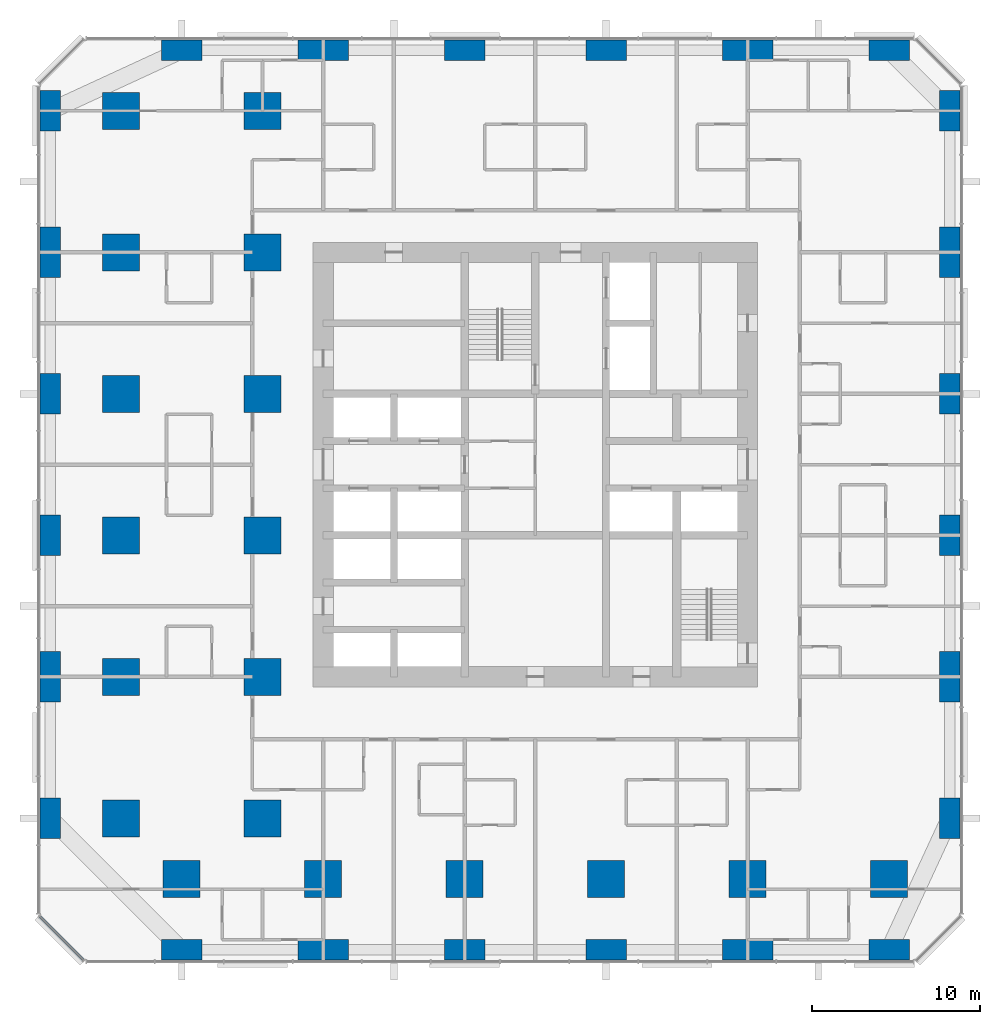
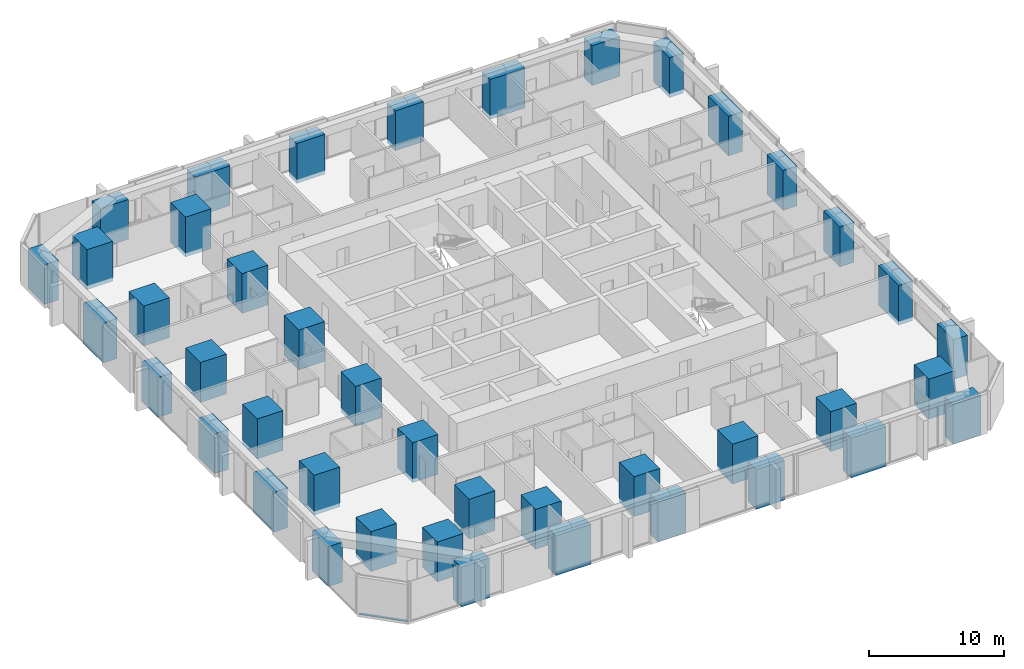
# One storey, part 1 of 13: 42 columns, 1 member, 1 element without a shape of its own.
"""IFC4 building model written with IfcOpenShell, lengths in metres."""

from ifc_helpers import new_model, si_unit, direction, frame, origin, origin_2d, place, context, subcontext, project, spatial, rectangle, extrude, material, material_profile, profile_set, type_object, element, aggregate, save


model = new_model("IFC4")

# Units and contexts
model_context = context("Model", 3, precision=1e-05, world=origin(), true_north=direction((0.0, 1.0)))
body_context = subcontext(model_context, "Body", "Model", "MODEL_VIEW")
ifc_project = project(units=[si_unit("LENGTHUNIT", "METRE"), si_unit("AREAUNIT", "SQUARE_METRE"), si_unit("VOLUMEUNIT", "CUBIC_METRE"), si_unit("PLANEANGLEUNIT", "RADIAN"), si_unit("MASSUNIT", "GRAM", prefix="KILO")], contexts=[model_context])

# Site, building, storey
site_placement = place(None, origin())
site = spatial("IfcSite", under=ifc_project, at=site_placement, CompositionType="ELEMENT")
building_placement = place(site_placement, origin())
building = spatial("IfcBuilding", under=site, at=building_placement, Name="Dunama Terrace Hotel", CompositionType="ELEMENT")
storey_placement = place(building_placement, frame((0.0, 0.0, 144.0)))
storey = spatial("IfcBuildingStorey", under=building, at=storey_placement, Name="L37", CompositionType="ELEMENT", Elevation=144.0)

# Columns
ifc_material_1 = material(Name="Concrete C60/75", Category="concrete")
ifc_material_profile_1 = material_profile(ifc_material_1, rectangle(XDim=1.199951171875, YDim=2.39990234375, at=origin_2d()), Name="RC 1200x2400")
ifc_profile_set_1 = profile_set([ifc_material_profile_1], Name="Concrete C60/75")
column_type_1 = type_object("IfcColumnType", Name="Column RC 1200x2400", PredefinedType="COLUMN", material=ifc_profile_set_1)
for number, where, z_axis, x_axis, name in (
    (1, (0.60009765625, 8.39990234375, -0.35009765625), (0.0, 0.0, 1.0), (1.0, 0.0, 0.0), "Column L37 +0.6/+8.4"),
    (2, (0.60009765625, 25.199951171875, -0.35009765625), (0.0, 0.0, 1.0), (1.0, 0.0, 0.0), "Column L37 +0.6/+25.2"),
    (3, (0.60009765625, 33.60009765625, -0.35009765625), (0.0, 0.0, 1.0), (1.0, 0.0, 0.0), "Column L37 +0.6/+33.6"),
    (4, (0.60009765625, 50.39990234375, -0.35009765625), (0.0, 0.0, 1.0), (1.0, 0.0, 0.0), "Column L37 +0.6/+50.4"),
    (5, (54.0, 8.39990234375, -0.35009765625), (0.0, 0.0, 1.0), (1.0, 0.0, 0.0), "Column L37 +54.0/+8.4"),
    (6, (54.0, 25.199951171875, -0.35009765625), (0.0, 0.0, 1.0), (1.0, 0.0, 0.0), "Column L37 +54.0/+25.2"),
    (7, (54.0, 33.60009765625, -0.35009765625), (0.0, 0.0, 1.0), (1.0, 0.0, 0.0), "Column L37 +54.0/+33.6"),
    (8, (54.0, 50.39990234375, -0.35009765625), (0.0, 0.0, 1.0), (1.0, 0.0, 0.0), "Column L37 +54.0/+50.4"),
):
    element("IfcColumn", number, at=place(storey_placement, frame(where, z_axis=z_axis, x_axis=x_axis)), inside=storey, type_object=column_type_1, Name=name, PredefinedType="COLUMN", context=body_context, shape_type="SweptSolid", body=[
        extrude(rectangle(XDim=1.199951171875, YDim=2.39990234375, at=origin_2d()), origin(), (0.0, 0.0, 1.0), 3.60009765625),
    ])
ifc_material_2 = material(Name="Concrete C60/75", Category="concrete")
ifc_material_profile_2 = material_profile(ifc_material_2, rectangle(XDim=1.199951171875, YDim=3.0, at=origin_2d()), Name="RC 1200x3000")
ifc_profile_set_2 = profile_set([ifc_material_profile_2], Name="Concrete C60/75")
column_type_2 = type_object("IfcColumnType", Name="Column RC 1200x3000", PredefinedType="COLUMN", material=ifc_profile_set_2)
for number, where, z_axis, x_axis, name in (
    (9, (0.60009765625, 16.800048828125, -0.35009765625), (0.0, 0.0, 1.0), (1.0, 0.0, 0.0), "Column L37 +0.6/+16.8"),
    (10, (0.60009765625, 42.0, -0.35009765625), (0.0, 0.0, 1.0), (1.0, 0.0, 0.0), "Column L37 +0.6/+42.0"),
    (11, (54.0, 16.800048828125, -0.35009765625), (0.0, 0.0, 1.0), (1.0, 0.0, 0.0), "Column L37 +54.0/+16.8"),
    (12, (54.0, 42.0, -0.35009765625), (0.0, 0.0, 1.0), (1.0, 0.0, 0.0), "Column L37 +54.0/+42.0"),
):
    element("IfcColumn", number, at=place(storey_placement, frame(where, z_axis=z_axis, x_axis=x_axis)), inside=storey, type_object=column_type_2, Name=name, PredefinedType="COLUMN", context=body_context, shape_type="SweptSolid", body=[
        extrude(rectangle(XDim=1.199951171875, YDim=3.0, at=origin_2d()), origin(), (0.0, 0.0, 1.0), 3.60009765625),
    ])
ifc_material_3 = material(Name="Concrete C60/75", Category="concrete")
ifc_material_profile_3 = material_profile(ifc_material_3, rectangle(XDim=2.199951171875, YDim=2.199951171875, at=origin_2d()), Name="RC 2200x2200")
ifc_profile_set_3 = profile_set([ifc_material_profile_3], Name="Concrete C60/75")
column_type_3 = type_object("IfcColumnType", Name="Column RC 2200x2200", PredefinedType="COLUMN", material=ifc_profile_set_3)
for number, where, z_axis, x_axis, name in (
    (13, (4.800048828125, 8.39990234375, -0.35009765625), (0.0, 0.0, 1.0), (1.0, 0.0, 0.0), "Column L37 +4.8/+8.4"),
    (14, (4.800048828125, 16.800048828125, -0.35009765625), (0.0, 0.0, 1.0), (1.0, 0.0, 0.0), "Column L37 +4.8/+16.8"),
    (15, (4.800048828125, 25.199951171875, -0.35009765625), (0.0, 0.0, 1.0), (1.0, 0.0, 0.0), "Column L37 +4.8/+25.2"),
    (16, (4.800048828125, 33.60009765625, -0.35009765625), (0.0, 0.0, 1.0), (1.0, 0.0, 0.0), "Column L37 +4.8/+33.6"),
    (17, (4.800048828125, 42.0, -0.35009765625), (0.0, 0.0, 1.0), (1.0, 0.0, 0.0), "Column L37 +4.8/+42.0"),
    (18, (4.800048828125, 50.39990234375, -0.35009765625), (0.0, 0.0, 1.0), (1.0, 0.0, 0.0), "Column L37 +4.8/+50.4"),
    (19, (8.39990234375, 4.800048828125, -0.35009765625), (0.0, 0.0, 1.0), (1.0, 0.0, 0.0), "Column L37 +8.4/+4.8"),
    (20, (13.199951171875, 8.39990234375, -0.35009765625), (0.0, 0.0, 1.0), (1.0, 0.0, 0.0), "Column L37 +13.2/+8.4"),
    (21, (13.199951171875, 16.800048828125, -0.35009765625), (0.0, 0.0, 1.0), (1.0, 0.0, 0.0), "Column L37 +13.2/+16.8"),
    (22, (13.199951171875, 25.199951171875, -0.35009765625), (0.0, 0.0, 1.0), (1.0, 0.0, 0.0), "Column L37 +13.2/+25.2"),
    (23, (13.199951171875, 33.60009765625, -0.35009765625), (0.0, 0.0, 1.0), (1.0, 0.0, 0.0), "Column L37 +13.2/+33.6"),
    (24, (13.199951171875, 42.0, -0.35009765625), (0.0, 0.0, 1.0), (1.0, 0.0, 0.0), "Column L37 +13.2/+42.0"),
    (25, (13.199951171875, 50.39990234375, -0.35009765625), (0.0, 0.0, 1.0), (1.0, 0.0, 0.0), "Column L37 +13.2/+50.4"),
    (26, (16.800048828125, 4.800048828125, -0.35009765625), (0.0, 0.0, 1.0), (1.0, 0.0, 0.0), "Column L37 +16.8/+4.8"),
    (27, (25.199951171875, 4.800048828125, -0.35009765625), (0.0, 0.0, 1.0), (1.0, 0.0, 0.0), "Column L37 +25.2/+4.8"),
    (28, (33.60009765625, 4.800048828125, -0.35009765625), (0.0, 0.0, 1.0), (1.0, 0.0, 0.0), "Column L37 +33.6/+4.8"),
    (29, (42.0, 4.800048828125, -0.35009765625), (0.0, 0.0, 1.0), (1.0, 0.0, 0.0), "Column L37 +42.0/+4.8"),
    (30, (50.39990234375, 4.800048828125, -0.35009765625), (0.0, 0.0, 1.0), (1.0, 0.0, 0.0), "Column L37 +50.4/+4.8"),
):
    element("IfcColumn", number, at=place(storey_placement, frame(where, z_axis=z_axis, x_axis=x_axis)), inside=storey, type_object=column_type_3, Name=name, PredefinedType="COLUMN", context=body_context, shape_type="SweptSolid", body=[
        extrude(rectangle(XDim=2.199951171875, YDim=2.199951171875, at=origin_2d()), origin(), (0.0, 0.0, 1.0), 3.60009765625),
    ])
ifc_material_4 = material(Name="Concrete C60/75", Category="concrete")
ifc_material_profile_4 = material_profile(ifc_material_4, rectangle(XDim=2.39990234375, YDim=1.199951171875, at=origin_2d()), Name="RC 2400x1200")
ifc_profile_set_4 = profile_set([ifc_material_profile_4], Name="Concrete C60/75")
column_type_4 = type_object("IfcColumnType", Name="Column RC 2400x1200", PredefinedType="COLUMN", material=ifc_profile_set_4)
for number, where, z_axis, x_axis, name in (
    (31, (8.39990234375, 0.60009765625, -0.35009765625), (0.0, 0.0, 1.0), (1.0, 0.0, 0.0), "Column L37 +8.4/+0.6"),
    (32, (8.39990234375, 54.0, -0.35009765625), (0.0, 0.0, 1.0), (1.0, 0.0, 0.0), "Column L37 +8.4/+54.0"),
    (33, (25.199951171875, 0.60009765625, -0.35009765625), (0.0, 0.0, 1.0), (1.0, 0.0, 0.0), "Column L37 +25.2/+0.6"),
    (34, (25.199951171875, 54.0, -0.35009765625), (0.0, 0.0, 1.0), (1.0, 0.0, 0.0), "Column L37 +25.2/+54.0"),
    (35, (33.60009765625, 0.60009765625, -0.35009765625), (0.0, 0.0, 1.0), (1.0, 0.0, 0.0), "Column L37 +33.6/+0.6"),
    (36, (33.60009765625, 54.0, -0.35009765625), (0.0, 0.0, 1.0), (1.0, 0.0, 0.0), "Column L37 +33.6/+54.0"),
    (37, (50.39990234375, 0.60009765625, -0.35009765625), (0.0, 0.0, 1.0), (1.0, 0.0, 0.0), "Column L37 +50.4/+0.6"),
    (38, (50.39990234375, 54.0, -0.35009765625), (0.0, 0.0, 1.0), (1.0, 0.0, 0.0), "Column L37 +50.4/+54.0"),
):
    element("IfcColumn", number, at=place(storey_placement, frame(where, z_axis=z_axis, x_axis=x_axis)), inside=storey, type_object=column_type_4, Name=name, PredefinedType="COLUMN", context=body_context, shape_type="SweptSolid", body=[
        extrude(rectangle(XDim=2.39990234375, YDim=1.199951171875, at=origin_2d()), origin(), (0.0, 0.0, 1.0), 3.60009765625),
    ])
ifc_material_5 = material(Name="Concrete C60/75", Category="concrete")
ifc_material_profile_5 = material_profile(ifc_material_5, rectangle(XDim=3.0, YDim=1.199951171875, at=origin_2d()), Name="RC 3000x1200")
ifc_profile_set_5 = profile_set([ifc_material_profile_5], Name="Concrete C60/75")
column_type_5 = type_object("IfcColumnType", Name="Column RC 3000x1200", PredefinedType="COLUMN", material=ifc_profile_set_5)
for number, where, z_axis, x_axis, name in (
    (39, (16.800048828125, 0.60009765625, -0.35009765625), (0.0, 0.0, 1.0), (1.0, 0.0, 0.0), "Column L37 +16.8/+0.6"),
    (40, (16.800048828125, 54.0, -0.35009765625), (0.0, 0.0, 1.0), (1.0, 0.0, 0.0), "Column L37 +16.8/+54.0"),
    (41, (42.0, 0.60009765625, -0.35009765625), (0.0, 0.0, 1.0), (1.0, 0.0, 0.0), "Column L37 +42.0/+0.6"),
    (42, (42.0, 54.0, -0.35009765625), (0.0, 0.0, 1.0), (1.0, 0.0, 0.0), "Column L37 +42.0/+54.0"),
):
    element("IfcColumn", number, at=place(storey_placement, frame(where, z_axis=z_axis, x_axis=x_axis)), inside=storey, type_object=column_type_5, Name=name, PredefinedType="COLUMN", context=body_context, shape_type="SweptSolid", body=[
        extrude(rectangle(XDim=3.0, YDim=1.199951171875, at=origin_2d()), origin(), (0.0, 0.0, 1.0), 3.60009765625),
    ])

# Curtain wall, member
ifc_material_6 = material(Name="Aluminium curtain wall system", Category="aluminium")
curtain_wall_type = type_object("IfcCurtainWallType", Name="Unitised fritted glass wall CW-B", PredefinedType="NOTDEFINED", material=ifc_material_6)
curtain_wall_placement = place(storey_placement, origin())
curtain_wall = element("IfcCurtainWall", 43, at=curtain_wall_placement, inside=storey, type_object=curtain_wall_type, Name="Unitised fritted glass wall CW-B L37", PredefinedType="NOTDEFINED")
ifc_material_7 = material(Name="Aluminium transom", Category="aluminium")
ifc_material_profile_6 = material_profile(ifc_material_7, rectangle(XDim=0.179931640625, YDim=0.080078125, at=origin_2d()), Name="CWB TRANSOM 180X80")
ifc_profile_set_6 = profile_set([ifc_material_profile_6], Name="Aluminium transom")
member_type = type_object("IfcMemberType", Name="CWB transom 180x80", PredefinedType="USERDEFINED", material=ifc_profile_set_6)
member_placement = place(storey_placement, frame((-0.031982421875, 2.575927734375, 0.0400390625), z_axis=(0.707106781187, -0.707106781187, 0.0), x_axis=(0.707106781187, 0.707106781187, 0.0)))
member = element("IfcMember", 44, at=member_placement, type_object=member_type, Name="CWB transom", ObjectType="TRANSOM", PredefinedType="USERDEFINED", context=body_context, shape_type="SweptSolid", body=[
    extrude(rectangle(XDim=0.179931640625, YDim=0.080078125, at=origin_2d()), origin(), (0.0, 0.0, 1.0), 3.688232421875),
])
aggregate(curtain_wall, [member])

save(model, "model.ifc")
